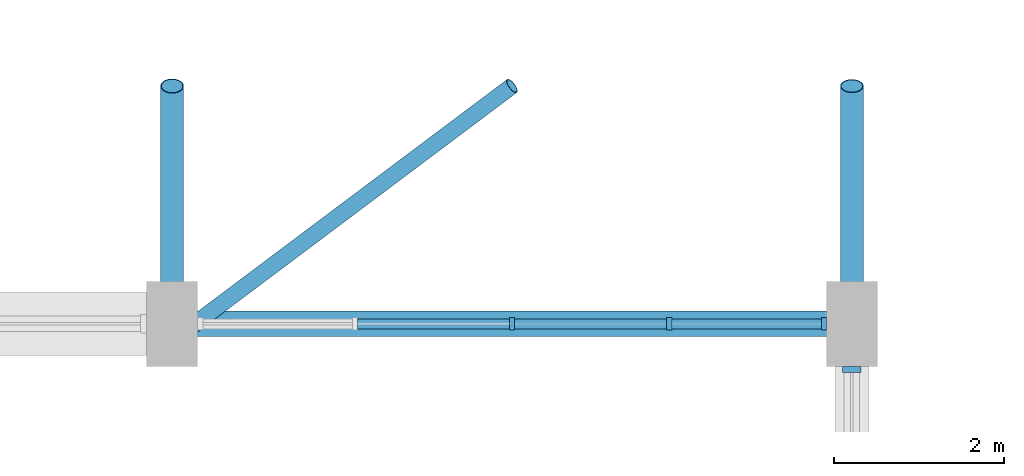
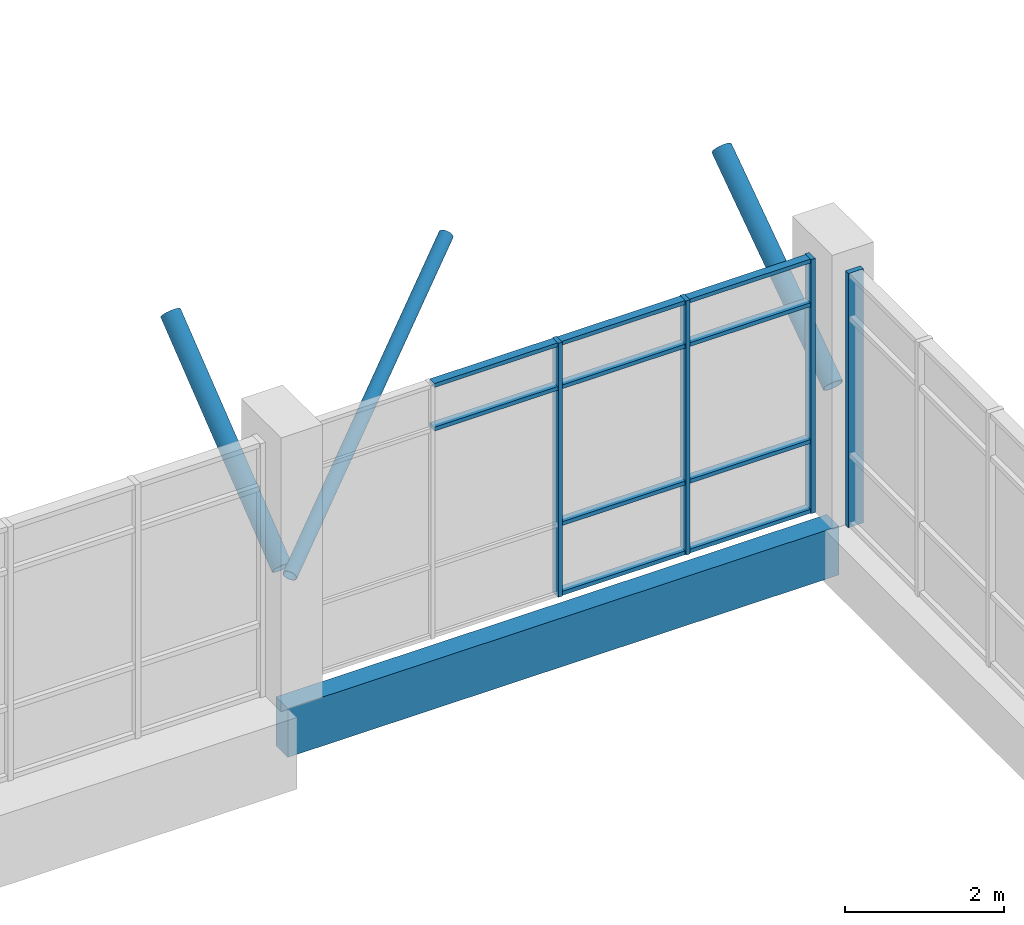
# One storey, part 9 of 44: 17 members, 1 beam, 2 elements without a shape of their own.
"""IFC4 building model written with IfcOpenShell, lengths in metres."""

from ifc_helpers import new_model, si_unit, direction, frame, origin, origin_2d, place, context, subcontext, project, spatial, rectangle, hollow_circle, extrude, material, material_profile, profile_set, type_object, element, aggregate, save


model = new_model("IFC4")

# Units and contexts
model_context = context("Model", 3, precision=1e-05, world=origin(), true_north=direction((0.0, 1.0)))
body_context = subcontext(model_context, "Body", "Model", "MODEL_VIEW")
ifc_project = project(units=[si_unit("LENGTHUNIT", "METRE"), si_unit("AREAUNIT", "SQUARE_METRE"), si_unit("VOLUMEUNIT", "CUBIC_METRE"), si_unit("PLANEANGLEUNIT", "RADIAN"), si_unit("MASSUNIT", "GRAM", prefix="KILO")], contexts=[model_context])

# Site, building, storey
site_placement = place(None, origin())
site = spatial("IfcSite", under=ifc_project, at=site_placement, CompositionType="ELEMENT")
building_placement = place(site_placement, origin())
building = spatial("IfcBuilding", under=site, at=building_placement, Name="Tenunan Teduh Sports Hall", CompositionType="ELEMENT")
storey_placement = place(building_placement, frame((0.0, 0.0, 19.199951171875)))
storey = spatial("IfcBuildingStorey", under=building, at=storey_placement, Name="L04", CompositionType="ELEMENT", Elevation=19.199951171875)

# Beam
ifc_material_1 = material(Name="Concrete C40/50", Category="concrete")
ifc_material_profile_1 = material_profile(ifc_material_1, rectangle(XDim=0.300048828125, YDim=0.75, at=origin_2d()), Name="SPB 300x750")
ifc_profile_set_1 = profile_set([ifc_material_profile_1], Name="Concrete C40/50")
beam_type = type_object("IfcBeamType", Name="BM-SP-300x750", PredefinedType="SPANDREL", material=ifc_profile_set_1)
beam_placement = place(storey_placement, frame((46.0, 46.0, -0.64501953125), z_axis=(1.0, 0.0, 0.0), x_axis=(0.0, 1.0, 0.0)))
element("IfcBeam", 1, at=beam_placement, inside=storey, type_object=beam_type, Name="BM-SP-01-L04-2021", PredefinedType="SPANDREL", context=body_context, shape_type="SweptSolid", body=[
    extrude(rectangle(XDim=0.300048828125, YDim=0.75, at=origin_2d()), origin(), (0.0, 0.0, 1.0), 8.0),
])

# Curtain wall, members
ifc_material_2 = material(Name="Anodised aluminium", Category="aluminium")
curtain_wall_type = type_object("IfcCurtainWallType", Name="CW-UNIT-2", PredefinedType="NOTDEFINED", material=ifc_material_2)
curtain_wall_1_placement = place(storey_placement, origin())
curtain_wall_1 = element("IfcCurtainWall", 2, at=curtain_wall_1_placement, inside=storey, type_object=curtain_wall_type, Name="CW-CWM-150-L04-103", PredefinedType="NOTDEFINED")
ifc_material_3 = material(Name="Anodised aluminium", Category="aluminium")
ifc_material_profile_2 = material_profile(ifc_material_3, rectangle(XDim=0.06005859375, YDim=0.14990234375, at=origin_2d()), Name="CWM 60x150")
ifc_profile_set_2 = profile_set([ifc_material_profile_2], Name="Anodised aluminium")
member_type_1 = type_object("IfcMemberType", Name="CWM-150", PredefinedType="MULLION", material=ifc_profile_set_2)
member_1_placement = place(storey_placement, frame((50.0, 46.0, 0.0), z_axis=(0.0, 0.0, 1.0), x_axis=(1.0, 0.0, 0.0)))
member_1 = element("IfcMember", 3, at=member_1_placement, type_object=member_type_1, Name="CW-02 mullion 3", PredefinedType="MULLION", context=body_context, shape_type="SweptSolid", body=[
    extrude(rectangle(XDim=0.06005859375, YDim=0.14990234375, at=origin_2d()), origin(), (0.0, 0.0, 1.0), 3.900146484375),
])
member_2_placement = place(storey_placement, frame((51.85009765625, 46.0, 0.0), z_axis=(0.0, 0.0, 1.0), x_axis=(1.0, 0.0, 0.0)))
member_2 = element("IfcMember", 4, at=member_2_placement, type_object=member_type_1, Name="CW-02 mullion 4", PredefinedType="MULLION", context=body_context, shape_type="SweptSolid", body=[
    extrude(rectangle(XDim=0.06005859375, YDim=0.14990234375, at=origin_2d()), origin(), (0.0, 0.0, 1.0), 3.900146484375),
])
member_3_placement = place(storey_placement, frame((53.669921875, 46.0, 0.0), z_axis=(0.0, 0.0, 1.0), x_axis=(1.0, 0.0, 0.0)))
member_3 = element("IfcMember", 5, at=member_3_placement, type_object=member_type_1, Name="CW-02 mullion 5", PredefinedType="MULLION", context=body_context, shape_type="SweptSolid", body=[
    extrude(rectangle(XDim=0.06005859375, YDim=0.14990234375, at=origin_2d()), origin(), (0.0, 0.0, 1.0), 3.900146484375),
])

# Curtain wall, member
curtain_wall_2_placement = place(storey_placement, origin())
curtain_wall_2 = element("IfcCurtainWall", 6, at=curtain_wall_2_placement, inside=storey, type_object=curtain_wall_type, Name="CW-CWM-220-L04-109", PredefinedType="NOTDEFINED")
ifc_material_4 = material(Name="Anodised aluminium", Category="aluminium")
ifc_material_profile_3 = material_profile(ifc_material_4, rectangle(XDim=0.074951171875, YDim=0.219970703125, at=origin_2d()), Name="CWM 75x220")
ifc_profile_set_3 = profile_set([ifc_material_profile_3], Name="Anodised aluminium")
member_type_2 = type_object("IfcMemberType", Name="CWM-220", PredefinedType="MULLION", material=ifc_profile_set_3)
member_4_placement = place(storey_placement, frame((54.0, 45.46240234375, 0.0), z_axis=(0.0, 0.0, 1.0), x_axis=(0.0, 1.0, 0.0)))
member_4 = element("IfcMember", 7, at=member_4_placement, type_object=member_type_2, Name="CW-02 mullion 5", PredefinedType="MULLION", context=body_context, shape_type="SweptSolid", body=[
    extrude(rectangle(XDim=0.074951171875, YDim=0.219970703125, at=origin_2d()), origin(), (0.0, 0.0, 1.0), 3.900146484375),
])
aggregate(curtain_wall_2, [member_4])

# Member
ifc_material_5 = material(Name="Anodised aluminium", Category="aluminium")
ifc_material_profile_4 = material_profile(ifc_material_5, rectangle(XDim=0.06005859375, YDim=0.1201171875, at=origin_2d()), Name="CWT 60x120")
ifc_profile_set_4 = profile_set([ifc_material_profile_4], Name="Anodised aluminium")
member_type_3 = type_object("IfcMemberType", Name="CWT-125", PredefinedType="USERDEFINED", material=ifc_profile_set_4)
member_5_placement = place(storey_placement, frame((48.179931640625, 46.0, 3.199951171875), z_axis=(1.0, 0.0, 0.0), x_axis=(0.0, 0.0, 1.0)))
member_5 = element("IfcMember", 8, at=member_5_placement, type_object=member_type_3, Name="CW-02 transom 2.3", ObjectType="TRANSOM", PredefinedType="USERDEFINED", context=body_context, shape_type="SweptSolid", body=[
    extrude(rectangle(XDim=0.06005859375, YDim=0.1201171875, at=origin_2d()), origin(), (0.0, 0.0, 1.0), 1.7900390625),
])

member_6_placement = place(storey_placement, frame((48.179931640625, 46.0, 3.8701171875), z_axis=(1.0, 0.0, 0.0), x_axis=(0.0, 0.0, 1.0)))
member_6 = element("IfcMember", 9, at=member_6_placement, type_object=member_type_3, Name="CW-02 transom 2.4", ObjectType="TRANSOM", PredefinedType="USERDEFINED", context=body_context, shape_type="SweptSolid", body=[
    extrude(rectangle(XDim=0.06005859375, YDim=0.1201171875, at=origin_2d()), origin(), (0.0, 0.0, 1.0), 1.7900390625),
])

member_7_placement = place(storey_placement, frame((50.030029296875, 46.0, 0.030029296875), z_axis=(1.0, 0.0, 0.0), x_axis=(0.0, 0.0, 1.0)))
member_7 = element("IfcMember", 10, at=member_7_placement, type_object=member_type_3, Name="CW-02 transom 3.1", ObjectType="TRANSOM", PredefinedType="USERDEFINED", context=body_context, shape_type="SweptSolid", body=[
    extrude(rectangle(XDim=0.06005859375, YDim=0.1201171875, at=origin_2d()), origin(), (0.0, 0.0, 1.0), 1.7900390625),
])

member_8_placement = place(storey_placement, frame((50.030029296875, 46.0, 1.10009765625), z_axis=(1.0, 0.0, 0.0), x_axis=(0.0, 0.0, 1.0)))
member_8 = element("IfcMember", 11, at=member_8_placement, type_object=member_type_3, Name="CW-02 transom 3.2", ObjectType="TRANSOM", PredefinedType="USERDEFINED", context=body_context, shape_type="SweptSolid", body=[
    extrude(rectangle(XDim=0.06005859375, YDim=0.1201171875, at=origin_2d()), origin(), (0.0, 0.0, 1.0), 1.7900390625),
])

member_9_placement = place(storey_placement, frame((50.030029296875, 46.0, 3.199951171875), z_axis=(1.0, 0.0, 0.0), x_axis=(0.0, 0.0, 1.0)))
member_9 = element("IfcMember", 12, at=member_9_placement, type_object=member_type_3, Name="CW-02 transom 3.3", ObjectType="TRANSOM", PredefinedType="USERDEFINED", context=body_context, shape_type="SweptSolid", body=[
    extrude(rectangle(XDim=0.06005859375, YDim=0.1201171875, at=origin_2d()), origin(), (0.0, 0.0, 1.0), 1.7900390625),
])

member_10_placement = place(storey_placement, frame((50.030029296875, 46.0, 3.8701171875), z_axis=(1.0, 0.0, 0.0), x_axis=(0.0, 0.0, 1.0)))
member_10 = element("IfcMember", 13, at=member_10_placement, type_object=member_type_3, Name="CW-02 transom 3.4", ObjectType="TRANSOM", PredefinedType="USERDEFINED", context=body_context, shape_type="SweptSolid", body=[
    extrude(rectangle(XDim=0.06005859375, YDim=0.1201171875, at=origin_2d()), origin(), (0.0, 0.0, 1.0), 1.7900390625),
])

member_11_placement = place(storey_placement, frame((51.8798828125, 46.0, 0.030029296875), z_axis=(1.0, 0.0, 0.0), x_axis=(0.0, 0.0, 1.0)))
member_11 = element("IfcMember", 14, at=member_11_placement, type_object=member_type_3, Name="CW-02 transom 4.1", ObjectType="TRANSOM", PredefinedType="USERDEFINED", context=body_context, shape_type="SweptSolid", body=[
    extrude(rectangle(XDim=0.06005859375, YDim=0.1201171875, at=origin_2d()), origin(), (0.0, 0.0, 1.0), 1.760009765625),
])

member_12_placement = place(storey_placement, frame((51.8798828125, 46.0, 1.10009765625), z_axis=(1.0, 0.0, 0.0), x_axis=(0.0, 0.0, 1.0)))
member_12 = element("IfcMember", 15, at=member_12_placement, type_object=member_type_3, Name="CW-02 transom 4.2", ObjectType="TRANSOM", PredefinedType="USERDEFINED", context=body_context, shape_type="SweptSolid", body=[
    extrude(rectangle(XDim=0.06005859375, YDim=0.1201171875, at=origin_2d()), origin(), (0.0, 0.0, 1.0), 1.760009765625),
])

member_13_placement = place(storey_placement, frame((51.8798828125, 46.0, 3.199951171875), z_axis=(1.0, 0.0, 0.0), x_axis=(0.0, 0.0, 1.0)))
member_13 = element("IfcMember", 16, at=member_13_placement, type_object=member_type_3, Name="CW-02 transom 4.3", ObjectType="TRANSOM", PredefinedType="USERDEFINED", context=body_context, shape_type="SweptSolid", body=[
    extrude(rectangle(XDim=0.06005859375, YDim=0.1201171875, at=origin_2d()), origin(), (0.0, 0.0, 1.0), 1.760009765625),
])

member_14_placement = place(storey_placement, frame((51.8798828125, 46.0, 3.8701171875), z_axis=(1.0, 0.0, 0.0), x_axis=(0.0, 0.0, 1.0)))
member_14 = element("IfcMember", 17, at=member_14_placement, type_object=member_type_3, Name="CW-02 transom 4.4", ObjectType="TRANSOM", PredefinedType="USERDEFINED", context=body_context, shape_type="SweptSolid", body=[
    extrude(rectangle(XDim=0.06005859375, YDim=0.1201171875, at=origin_2d()), origin(), (0.0, 0.0, 1.0), 1.760009765625),
])

aggregate(curtain_wall_1, [member_1, member_2, member_3, member_5, member_6, member_7, member_8, member_9, member_10, member_11, member_12, member_13, member_14])

# Members
ifc_material_6 = material(Name="Steel S355", Category="steel")
ifc_material_profile_5 = material_profile(ifc_material_6, hollow_circle(Radius=0.096923828125, WallThickness=0.008056640625, at=origin_2d()), Name="CHS 193.7x8.0")
ifc_profile_set_5 = profile_set([ifc_material_profile_5], Name="Steel S355")
member_type_4 = type_object("IfcMemberType", Name="MEM-BR-CHS194", PredefinedType="BRACE", material=ifc_profile_set_5)
member_15_placement = place(storey_placement, frame((46.0, 45.800048828125, 1.800048828125), z_axis=(0.741953988279, 0.556465491209, 0.373965822462), x_axis=(-0.6, 0.8, 0.0)))
element("IfcMember", 18, at=member_15_placement, inside=storey, type_object=member_type_4, Name="MEM-GD-03-L04-0499", PredefinedType="BRACE", context=body_context, shape_type="SweptSolid", body=[
    extrude(hollow_circle(Radius=0.096923828125, WallThickness=0.008056640625, at=origin_2d()), origin(), (0.0, 0.0, 1.0), 5.39111328125),
])
ifc_material_7 = material(Name="Steel S355", Category="steel")
ifc_material_profile_6 = material_profile(ifc_material_7, hollow_circle(Radius=0.136474609375, WallThickness=0.010009765625, at=origin_2d()), Name="CHS 273.0x10.0")
ifc_profile_set_6 = profile_set([ifc_material_profile_6], Name="Steel S355")
member_type_5 = type_object("IfcMemberType", Name="MEM-ST-CHS273", PredefinedType="STRUT", material=ifc_profile_set_6)
member_16_placement = place(storey_placement, frame((46.0, 46.0, 1.800048828125), z_axis=(0.0, 0.784232972207, 0.620466473956), x_axis=(-1.0, 0.0, 0.0)))
element("IfcMember", 19, at=member_16_placement, inside=storey, type_object=member_type_5, Name="MEM-VS-04-L04-0491", PredefinedType="STRUT", context=body_context, shape_type="SweptSolid", body=[
    extrude(hollow_circle(Radius=0.136474609375, WallThickness=0.010009765625, at=origin_2d()), origin(), (0.0, 0.0, 1.0), 3.5703125),
])
member_17_placement = place(storey_placement, frame((54.0, 46.0, 1.800048828125), z_axis=(0.0, 0.821725060058, 0.569884133551), x_axis=(-1.0, 0.0, 0.0)))
element("IfcMember", 20, at=member_17_placement, inside=storey, type_object=member_type_5, Name="MEM-VS-04-L04-0507", PredefinedType="STRUT", context=body_context, shape_type="SweptSolid", body=[
    extrude(hollow_circle(Radius=0.136474609375, WallThickness=0.010009765625, at=origin_2d()), origin(), (0.0, 0.0, 1.0), 3.407470703125),
])

save(model, "model.ifc")
